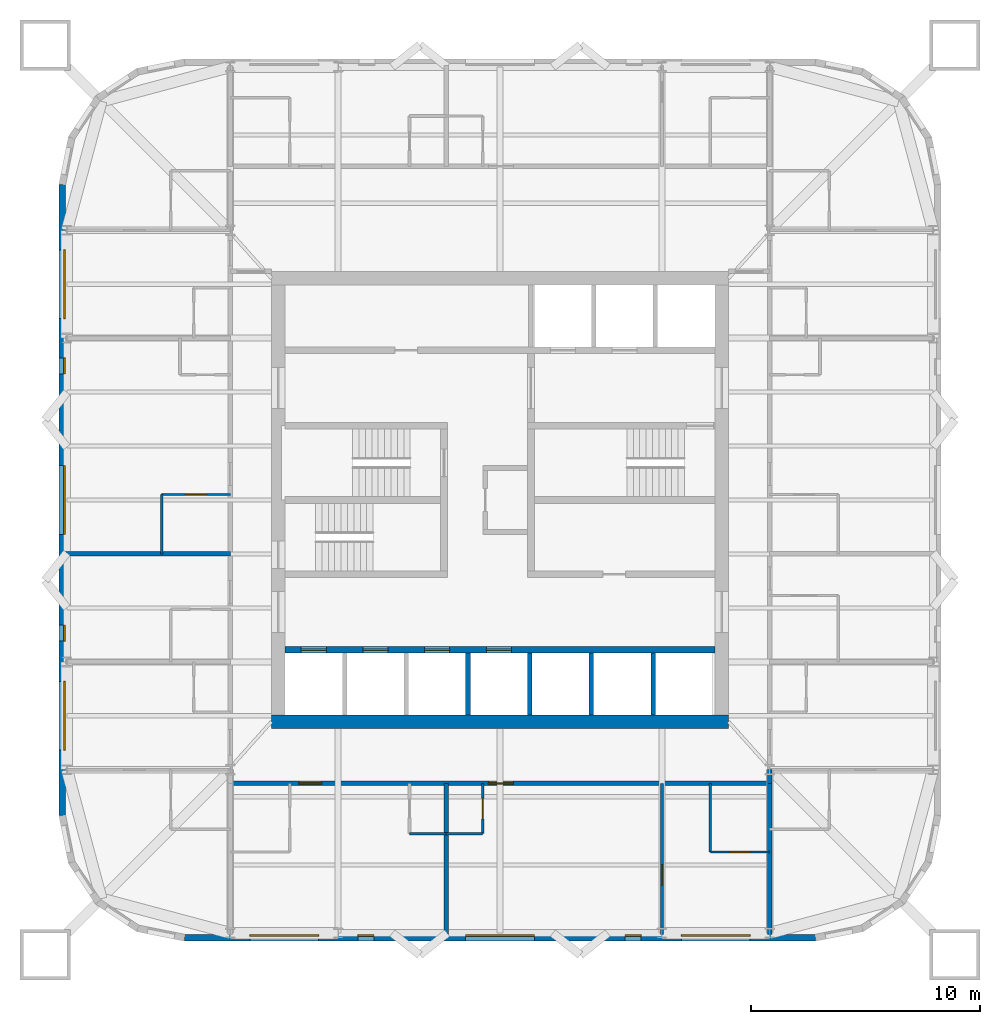
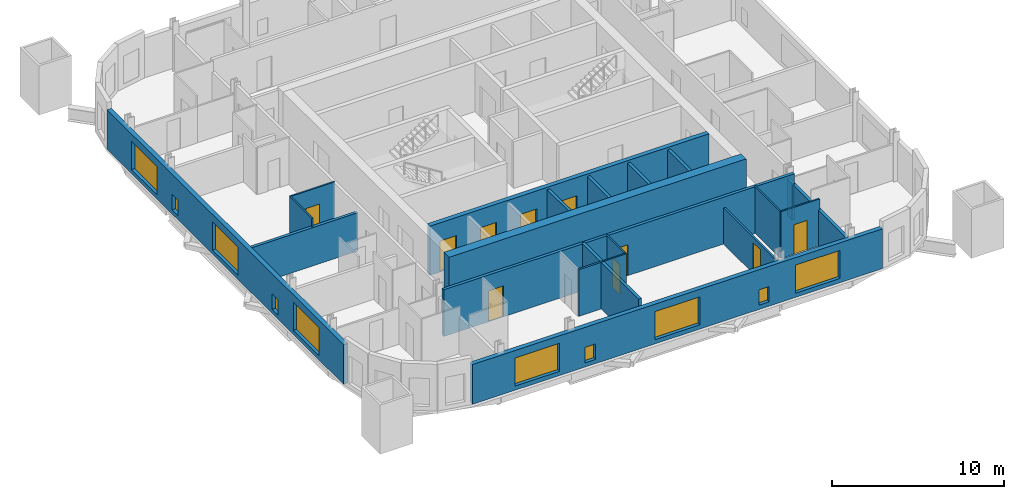
# One storey, part 3 of 8: 21 walls, 10 doors, 10 windows, 20 openings.
"""IFC4 building model written with IfcOpenShell, lengths in metres."""

from ifc_helpers import new_model, si_unit, direction, frame, frame_2d, origin, place, context, subcontext, project, spatial, rectangle, extrude, material, layer, layer_set, type_object, element, fill, save


model = new_model("IFC4")

# Units and contexts
model_context = context("Model", 3, precision=1e-05, world=origin(), true_north=direction((0.0, 1.0)))
body_context = subcontext(model_context, "Body", "Model", "MODEL_VIEW")
ifc_project = project(units=[si_unit("LENGTHUNIT", "METRE"), si_unit("AREAUNIT", "SQUARE_METRE"), si_unit("VOLUMEUNIT", "CUBIC_METRE"), si_unit("PLANEANGLEUNIT", "RADIAN"), si_unit("MASSUNIT", "GRAM", prefix="KILO")], contexts=[model_context])

# Site, building, storey
site_placement = place(None, origin())
site = spatial("IfcSite", under=ifc_project, at=site_placement, CompositionType="ELEMENT")
building_placement = place(site_placement, origin())
building = spatial("IfcBuilding", under=site, at=building_placement, Name="Turquesa Mirador Hotel Tower", CompositionType="ELEMENT")
storey_placement = place(building_placement, frame((0.0, 0.0, 196.800048828125)))
storey = spatial("IfcBuildingStorey", under=building, at=storey_placement, Name="L53", CompositionType="ELEMENT", Elevation=196.800048828125)

# Wall
ifc_material_1 = material(Name="Gypsum board on steel studs", Category="steel")
ifc_layer_1 = layer(ifc_material_1, 0.10009765625)
ifc_layer_set_1 = layer_set([ifc_layer_1], Name="BATHROOM WALL 100")
wall_type_1 = type_object("IfcWallType", Name="BATHROOM WALL 100", PredefinedType="PARTITIONING", material=ifc_layer_set_1)
wall_1_placement = place(storey_placement, frame((52.639892578125, 30.39990234375, 0.0), z_axis=(0.0, 0.0, 1.0), x_axis=(1.0, 0.0, 0.0)))
element("IfcWall", 1, at=wall_1_placement, inside=storey, type_object=wall_type_1, Name="Partition L53 008", PredefinedType="PARTITIONING", context=body_context, shape_type="SweptSolid", body=[
    extrude(rectangle(XDim=1.60009765625, YDim=0.10009765625, at=frame_2d((0.800048828125, 0.0))), origin(), (0.0, 0.0, 1.0), 3.329833984375),
])

# Wall, opening, door
wall_2_placement = place(storey_placement, frame((64.199951171875, 29.60009765625, 0.0), z_axis=(0.0, 0.0, 1.0), x_axis=(1.0, 0.0, 0.0)))
wall_2 = element("IfcWall", 2, at=wall_2_placement, inside=storey, type_object=wall_type_1, Name="Partition L53 011", PredefinedType="PARTITIONING", context=body_context, shape_type="SweptSolid", body=[
    extrude(rectangle(XDim=2.60009765625, YDim=0.10009765625, at=frame_2d((1.300048828125, 0.0))), origin(), (0.0, 0.0, 1.0), 3.329833984375),
])
opening_1_placement = place(wall_2_placement, frame((0.85009765625, 0.0, 0.0)))
opening_1 = element("IfcOpeningElement", 3, at=opening_1_placement, cuts=wall_2, Name="Opening D02", PredefinedType="OPENING", context=body_context, shape_type="SweptSolid", body=[
    extrude(rectangle(XDim=0.89990234375, YDim=2.10009765625, at=frame_2d((0.449951171875, 1.050048828125))), frame((0.0, 0.06005859375, 0.0), z_axis=(0.0, -1.0, 0.0), x_axis=(1.0, 0.0, 0.0)), (0.0, 0.0, 1.0), 0.1201171875),
])
ifc_material_2 = material(Name="Timber veneered door", Category="wood")
door_type_1 = type_object("IfcDoorType", Name="DOOR 900X2100 EN-SUITE", OperationType="SINGLE_SWING_RIGHT", PredefinedType="DOOR", material=ifc_material_2)
door_1_placement = place(opening_1_placement, origin())
door_1 = element("IfcDoor", 4, at=door_1_placement, inside=storey, type_object=door_type_1, Name="Door 5304B", OperationType="SINGLE_SWING_RIGHT", OverallHeight=2.10009765625, OverallWidth=0.89990234375, PredefinedType="DOOR", context=body_context, shape_type="SweptSolid", body=[
    extrude(rectangle(XDim=0.89990234375, YDim=2.10009765625, at=frame_2d((0.449951171875, 1.050048828125))), frame((0.0, 0.02490234375, 0.0), z_axis=(0.0, -1.0, 0.0), x_axis=(1.0, 0.0, 0.0)), (0.0, 0.0, 1.0), 0.050048828125),
])
fill(opening_1, door_1)

wall_3_placement = place(storey_placement, frame((40.199951171875, 45.239990234375, 0.0), z_axis=(0.0, 0.0, 1.0), x_axis=(1.0, 0.0, 0.0)))
wall_3 = element("IfcWall", 5, at=wall_3_placement, inside=storey, type_object=wall_type_1, Name="Partition L53 020", PredefinedType="PARTITIONING", context=body_context, shape_type="SweptSolid", body=[
    extrude(rectangle(XDim=3.0, YDim=0.10009765625, at=frame_2d((1.5, 0.0))), origin(), (0.0, 0.0, 1.0), 3.329833984375),
])
opening_2_placement = place(wall_3_placement, frame((1.050048828125, 0.0, 0.0)))
opening_2 = element("IfcOpeningElement", 6, at=opening_2_placement, cuts=wall_3, Name="Opening D02", PredefinedType="OPENING", context=body_context, shape_type="SweptSolid", body=[
    extrude(rectangle(XDim=0.89990234375, YDim=2.10009765625, at=frame_2d((0.449951171875, 1.050048828125))), frame((0.0, 0.06005859375, 0.0), z_axis=(0.0, -1.0, 0.0), x_axis=(1.0, 0.0, 0.0)), (0.0, 0.0, 1.0), 0.1201171875),
])
door_2_placement = place(opening_2_placement, origin())
door_2 = element("IfcDoor", 7, at=door_2_placement, inside=storey, type_object=door_type_1, Name="Door 5308B", OperationType="SINGLE_SWING_RIGHT", OverallHeight=2.10009765625, OverallWidth=0.89990234375, PredefinedType="DOOR", context=body_context, shape_type="SweptSolid", body=[
    extrude(rectangle(XDim=0.89990234375, YDim=2.10009765625, at=frame_2d((0.449951171875, 1.050048828125))), frame((0.0, 0.02490234375, 0.0), z_axis=(0.0, -1.0, 0.0), x_axis=(1.0, 0.0, 0.0)), (0.0, 0.0, 1.0), 0.050048828125),
])
fill(opening_2, door_2)

wall_4_placement = place(storey_placement, frame((54.239990234375, 30.39990234375, 0.0), z_axis=(0.0, 0.0, 1.0), x_axis=(0.0, 1.0, 0.0)))
wall_4 = element("IfcWall", 8, at=wall_4_placement, inside=storey, type_object=wall_type_1, Name="Partition L53 041", PredefinedType="PARTITIONING", context=body_context, shape_type="SweptSolid", body=[
    extrude(rectangle(XDim=2.2001953125, YDim=0.10009765625, at=frame_2d((1.10009765625, 0.0))), origin(), (0.0, 0.0, 1.0), 3.329833984375),
])
opening_3_placement = place(wall_4_placement, frame((0.64990234375, 0.0, 0.0)))
opening_3 = element("IfcOpeningElement", 9, at=opening_3_placement, cuts=wall_4, Name="Opening D06", PredefinedType="OPENING", context=body_context, shape_type="SweptSolid", body=[
    extrude(rectangle(XDim=0.89990234375, YDim=2.10009765625, at=frame_2d((0.449951171875, 1.050048828125))), frame((0.0, 0.06005859375, 0.0), z_axis=(0.0, -1.0, 0.0), x_axis=(1.0, 0.0, 0.0)), (0.0, 0.0, 1.0), 0.1201171875),
])
ifc_material_3 = material(Name="Laminate door", Category="wood")
door_type_2 = type_object("IfcDoorType", Name="DOOR 900X2100 WC", OperationType="SINGLE_SWING_LEFT", PredefinedType="DOOR", material=ifc_material_3)
door_3_placement = place(opening_3_placement, origin())
door_3 = element("IfcDoor", 10, at=door_3_placement, inside=storey, type_object=door_type_2, Name="Door 5304W", OperationType="SINGLE_SWING_LEFT", OverallHeight=2.10009765625, OverallWidth=0.89990234375, PredefinedType="DOOR", context=body_context, shape_type="SweptSolid", body=[
    extrude(rectangle(XDim=0.89990234375, YDim=2.10009765625, at=frame_2d((0.449951171875, 1.050048828125))), frame((0.0, 0.02490234375, 0.0), z_axis=(0.0, -1.0, 0.0), x_axis=(1.0, 0.0, 0.0)), (0.0, 0.0, 1.0), 0.050048828125),
])
fill(opening_3, door_3)

# Walls
wall_5_placement = place(storey_placement, frame((40.199951171875, 42.639892578125, 0.0), z_axis=(0.0, 0.0, 1.0), x_axis=(0.0, 1.0, 0.0)))
element("IfcWall", 11, at=wall_5_placement, inside=storey, type_object=wall_type_1, Name="Partition L53 052", PredefinedType="PARTITIONING", context=body_context, shape_type="SweptSolid", body=[
    extrude(rectangle(XDim=2.60009765625, YDim=0.10009765625, at=frame_2d((1.300048828125, 0.0))), origin(), (0.0, 0.0, 1.0), 3.329833984375),
])
wall_6_placement = place(storey_placement, frame((64.199951171875, 29.60009765625, 0.0), z_axis=(0.0, 0.0, 1.0), x_axis=(0.0, 1.0, 0.0)))
element("IfcWall", 12, at=wall_6_placement, inside=storey, type_object=wall_type_1, Name="Partition L53 071", PredefinedType="PARTITIONING", context=body_context, shape_type="SweptSolid", body=[
    extrude(rectangle(XDim=3.0, YDim=0.10009765625, at=frame_2d((1.5, 0.0))), origin(), (0.0, 0.0, 1.0), 3.329833984375),
])

# Wall, openings, doors
ifc_material_4 = material(Name="Concrete C50/60", Category="concrete")
ifc_layer_2 = layer(ifc_material_4, 0.300048828125)
ifc_layer_set_2 = layer_set([ifc_layer_2], Name="CORE INNER WALL 300")
wall_type_2 = type_object("IfcWallType", Name="CORE INNER WALL 300", PredefinedType="SHEAR", material=ifc_layer_set_2)
wall_7_placement = place(storey_placement, frame((45.60009765625, 38.449951171875, 0.0), z_axis=(0.0, 0.0, 1.0), x_axis=(1.0, 0.0, 0.0)))
wall_7 = element("IfcWall", 13, at=wall_7_placement, inside=storey, type_object=wall_type_2, Name="Core wall SL", PredefinedType="SHEAR", context=body_context, shape_type="SweptSolid", body=[
    extrude(rectangle(XDim=18.7998046875, YDim=0.300048828125, at=frame_2d((9.39990234375, 0.0))), origin(), (0.0, 0.0, 1.0), 3.5),
])
opening_4_placement = place(wall_7_placement, frame((0.699951171875, 0.0, 0.0)))
opening_4 = element("IfcOpeningElement", 14, at=opening_4_placement, cuts=wall_7, Name="Opening LD", PredefinedType="OPENING", context=body_context, shape_type="SweptSolid", body=[
    extrude(rectangle(XDim=1.10009765625, YDim=2.199951171875, at=frame_2d((0.550048828125, 1.10009765625))), frame((0.0, 0.159912109375, 0.0), z_axis=(0.0, -1.0, 0.0), x_axis=(1.0, 0.0, 0.0)), (0.0, 0.0, 1.0), 0.320068359375),
])
opening_5_placement = place(wall_7_placement, frame((3.39990234375, 0.0, 0.0)))
opening_5 = element("IfcOpeningElement", 15, at=opening_5_placement, cuts=wall_7, Name="Opening LD", PredefinedType="OPENING", context=body_context, shape_type="SweptSolid", body=[
    extrude(rectangle(XDim=1.10009765625, YDim=2.199951171875, at=frame_2d((0.550048828125, 1.10009765625))), frame((0.0, 0.159912109375, 0.0), z_axis=(0.0, -1.0, 0.0), x_axis=(1.0, 0.0, 0.0)), (0.0, 0.0, 1.0), 0.320068359375),
])
opening_6_placement = place(wall_7_placement, frame((6.10009765625, 0.0, 0.0)))
opening_6 = element("IfcOpeningElement", 16, at=opening_6_placement, cuts=wall_7, Name="Opening LD", PredefinedType="OPENING", context=body_context, shape_type="SweptSolid", body=[
    extrude(rectangle(XDim=1.10009765625, YDim=2.199951171875, at=frame_2d((0.550048828125, 1.10009765625))), frame((0.0, 0.159912109375, 0.0), z_axis=(0.0, -1.0, 0.0), x_axis=(1.0, 0.0, 0.0)), (0.0, 0.0, 1.0), 0.320068359375),
])
opening_7_placement = place(wall_7_placement, frame((8.800048828125, 0.0, 0.0)))
opening_7 = element("IfcOpeningElement", 17, at=opening_7_placement, cuts=wall_7, Name="Opening LD", PredefinedType="OPENING", context=body_context, shape_type="SweptSolid", body=[
    extrude(rectangle(XDim=1.10009765625, YDim=2.199951171875, at=frame_2d((0.550048828125, 1.10009765625))), frame((0.0, 0.159912109375, 0.0), z_axis=(0.0, -1.0, 0.0), x_axis=(1.0, 0.0, 0.0)), (0.0, 0.0, 1.0), 0.320068359375),
])
ifc_material_5 = material(Name="Stainless steel lift landing door", Category="steel")
door_type_3 = type_object("IfcDoorType", Name="LIFT LANDING DOOR 1100X2200", OperationType="SLIDING_TO_LEFT", PredefinedType="DOOR", material=ifc_material_5)
door_4_placement = place(opening_4_placement, origin())
door_4 = element("IfcDoor", 18, at=door_4_placement, inside=storey, type_object=door_type_3, Name="Lift B1 landing door", OperationType="SLIDING_TO_LEFT", OverallHeight=2.199951171875, OverallWidth=1.10009765625, PredefinedType="DOOR", context=body_context, shape_type="SweptSolid", body=[
    extrude(rectangle(XDim=1.10009765625, YDim=2.199951171875, at=frame_2d((0.550048828125, 1.10009765625))), frame((0.0, 0.02490234375, 0.0), z_axis=(0.0, -1.0, 0.0), x_axis=(1.0, 0.0, 0.0)), (0.0, 0.0, 1.0), 0.050048828125),
])
fill(opening_4, door_4)
door_5_placement = place(opening_5_placement, origin())
door_5 = element("IfcDoor", 19, at=door_5_placement, inside=storey, type_object=door_type_3, Name="Lift B2 landing door", OperationType="SLIDING_TO_LEFT", OverallHeight=2.199951171875, OverallWidth=1.10009765625, PredefinedType="DOOR", context=body_context, shape_type="SweptSolid", body=[
    extrude(rectangle(XDim=1.10009765625, YDim=2.199951171875, at=frame_2d((0.550048828125, 1.10009765625))), frame((0.0, 0.02490234375, 0.0), z_axis=(0.0, -1.0, 0.0), x_axis=(1.0, 0.0, 0.0)), (0.0, 0.0, 1.0), 0.050048828125),
])
fill(opening_5, door_5)
door_6_placement = place(opening_6_placement, origin())
door_6 = element("IfcDoor", 20, at=door_6_placement, inside=storey, type_object=door_type_3, Name="Lift B3 landing door", OperationType="SLIDING_TO_LEFT", OverallHeight=2.199951171875, OverallWidth=1.10009765625, PredefinedType="DOOR", context=body_context, shape_type="SweptSolid", body=[
    extrude(rectangle(XDim=1.10009765625, YDim=2.199951171875, at=frame_2d((0.550048828125, 1.10009765625))), frame((0.0, 0.02490234375, 0.0), z_axis=(0.0, -1.0, 0.0), x_axis=(1.0, 0.0, 0.0)), (0.0, 0.0, 1.0), 0.050048828125),
])
fill(opening_6, door_6)
door_7_placement = place(opening_7_placement, origin())
door_7 = element("IfcDoor", 21, at=door_7_placement, inside=storey, type_object=door_type_3, Name="Lift B4 landing door", OperationType="SLIDING_TO_LEFT", OverallHeight=2.199951171875, OverallWidth=1.10009765625, PredefinedType="DOOR", context=body_context, shape_type="SweptSolid", body=[
    extrude(rectangle(XDim=1.10009765625, YDim=2.199951171875, at=frame_2d((0.550048828125, 1.10009765625))), frame((0.0, 0.02490234375, 0.0), z_axis=(0.0, -1.0, 0.0), x_axis=(1.0, 0.0, 0.0)), (0.0, 0.0, 1.0), 0.050048828125),
])
fill(opening_7, door_7)

# Wall
ifc_material_6 = material(Name="Concrete C50/60", Category="concrete")
ifc_layer_3 = layer(ifc_material_6, 0.60009765625)
ifc_layer_set_3 = layer_set([ifc_layer_3], Name="CORE WALL 600")
wall_type_3 = type_object("IfcWallType", Name="CORE WALL 600", PredefinedType="SHEAR", material=ifc_layer_set_3)
wall_8_placement = place(storey_placement, frame((45.0, 35.300048828125, 0.0), z_axis=(0.0, 0.0, 1.0), x_axis=(1.0, 0.0, 0.0)))
element("IfcWall", 22, at=wall_8_placement, inside=storey, type_object=wall_type_3, Name="Core wall S", PredefinedType="SHEAR", context=body_context, shape_type="SweptSolid", body=[
    extrude(rectangle(XDim=20.0, YDim=0.60009765625, at=frame_2d((10.0, 0.0))), origin(), (0.0, 0.0, 1.0), 3.5),
])

# Wall, openings, doors
ifc_material_7 = material(Name="Fire-rated gypsum board on steel studs", Category="steel")
ifc_layer_4 = layer(ifc_material_7, 0.199951171875)
ifc_layer_set_4 = layer_set([ifc_layer_4], Name="CORRIDOR WALL 200")
wall_type_4 = type_object("IfcWallType", Name="CORRIDOR WALL 200", PredefinedType="PARTITIONING", material=ifc_layer_set_4)
wall_9_placement = place(storey_placement, frame((43.199951171875, 32.60009765625, 0.0), z_axis=(0.0, 0.0, 1.0), x_axis=(1.0, 0.0, 0.0)))
wall_9 = element("IfcWall", 23, at=wall_9_placement, inside=storey, type_object=wall_type_4, Name="Partition L53 005", PredefinedType="PARTITIONING", context=body_context, shape_type="SweptSolid", body=[
    extrude(rectangle(XDim=23.60009765625, YDim=0.199951171875, at=frame_2d((11.800048828125, 0.0))), origin(), (0.0, 0.0, 1.0), 3.329833984375),
])
opening_8_placement = place(wall_9_placement, frame((3.0, 0.0, 0.0)))
opening_8 = element("IfcOpeningElement", 24, at=opening_8_placement, cuts=wall_9, Name="Opening D01", PredefinedType="OPENING", context=body_context, shape_type="SweptSolid", body=[
    extrude(rectangle(XDim=1.0, YDim=2.199951171875, at=frame_2d((0.5, 1.10009765625))), frame((0.0, 0.10986328125, 0.0), z_axis=(0.0, -1.0, 0.0), x_axis=(1.0, 0.0, 0.0)), (0.0, 0.0, 1.0), 0.219970703125),
])
opening_9_placement = place(wall_9_placement, frame((11.2900390625, 0.0, 0.0)))
opening_9 = element("IfcOpeningElement", 25, at=opening_9_placement, cuts=wall_9, Name="Opening D15", PredefinedType="OPENING", context=body_context, shape_type="SweptSolid", body=[
    extrude(rectangle(XDim=1.10009765625, YDim=2.199951171875, at=frame_2d((0.550048828125, 1.10009765625))), frame((0.0, 0.10986328125, 0.0), z_axis=(0.0, -1.0, 0.0), x_axis=(1.0, 0.0, 0.0)), (0.0, 0.0, 1.0), 0.219970703125),
])
ifc_material_8 = material(Name="Timber veneered fire door", Category="wood")
door_type_4 = type_object("IfcDoorType", Name="DOOR 1000X2200 GUEST ENTRY", OperationType="SINGLE_SWING_LEFT", PredefinedType="DOOR", material=ifc_material_8)
door_8_placement = place(opening_8_placement, origin())
door_8 = element("IfcDoor", 26, at=door_8_placement, inside=storey, type_object=door_type_4, Name="Door 5303", OperationType="SINGLE_SWING_LEFT", OverallHeight=2.199951171875, OverallWidth=1.0, PredefinedType="DOOR", context=body_context, shape_type="SweptSolid", body=[
    extrude(rectangle(XDim=1.0, YDim=2.199951171875, at=frame_2d((0.5, 1.10009765625))), frame((0.0, 0.02490234375, 0.0), z_axis=(0.0, -1.0, 0.0), x_axis=(1.0, 0.0, 0.0)), (0.0, 0.0, 1.0), 0.050048828125),
])
fill(opening_8, door_8)
ifc_material_9 = material(Name="Timber veneered fire door", Category="wood")
door_type_5 = type_object("IfcDoorType", Name="DOOR 1100X2200 SUITE ENTRY", OperationType="SINGLE_SWING_LEFT", PredefinedType="DOOR", material=ifc_material_9)
door_9_placement = place(opening_9_placement, origin())
door_9 = element("IfcDoor", 27, at=door_9_placement, inside=storey, type_object=door_type_5, Name="Door 5304", OperationType="SINGLE_SWING_LEFT", OverallHeight=2.199951171875, OverallWidth=1.10009765625, PredefinedType="DOOR", context=body_context, shape_type="SweptSolid", body=[
    extrude(rectangle(XDim=1.10009765625, YDim=2.199951171875, at=frame_2d((0.550048828125, 1.10009765625))), frame((0.0, 0.02490234375, 0.0), z_axis=(0.0, -1.0, 0.0), x_axis=(1.0, 0.0, 0.0)), (0.0, 0.0, 1.0), 0.050048828125),
])
fill(opening_9, door_9)

# Wall
wall_10_placement = place(storey_placement, frame((66.800048828125, 32.60009765625, 0.0), z_axis=(0.0, 0.0, 1.0), x_axis=(0.0, 1.0, 0.0)))
element("IfcWall", 28, at=wall_10_placement, inside=storey, type_object=wall_type_4, Name="Partition L53 075", PredefinedType="PARTITIONING", context=body_context, shape_type="SweptSolid", body=[
    extrude(rectangle(XDim=0.619873046875, YDim=0.199951171875, at=frame_2d((0.31005859375, 0.0))), origin(), (0.0, 0.0, 1.0), 2.572998046875),
])

# Wall, openings, windows
ifc_material_10 = material(Name="Limestone cladding on concrete block", Category="masonry")
ifc_layer_5 = layer(ifc_material_10, 0.300048828125)
ifc_layer_set_5 = layer_set([ifc_layer_5], Name="FACADE WALL 300 STONE SCREEN")
wall_type_5 = type_object("IfcWallType", Name="FACADE WALL 300 STONE SCREEN", PredefinedType="SOLIDWALL", material=ifc_layer_set_5)
wall_11_placement = place(storey_placement, frame((35.85009765625, 58.800048828125, 0.0), z_axis=(0.0, 0.0, 1.0), x_axis=(0.0, -1.0, 0.0)))
wall_11 = element("IfcWall", 29, at=wall_11_placement, inside=storey, type_object=wall_type_5, Name="Facade wall L53 14", PredefinedType="SOLIDWALL", context=body_context, shape_type="SweptSolid", body=[
    extrude(rectangle(XDim=27.60009765625, YDim=0.300048828125, at=frame_2d((13.800048828125, 0.0))), origin(), (0.0, 0.0, 1.0), 2.829833984375),
])
opening_10_placement = place(wall_11_placement, frame((2.860107421875, 0.0, 0.300048828125)))
opening_10 = element("IfcOpeningElement", 30, at=opening_10_placement, cuts=wall_11, Name="Opening WN1", PredefinedType="OPENING", context=body_context, shape_type="SweptSolid", body=[
    extrude(rectangle(XDim=3.0, YDim=2.0, at=frame_2d((1.5, 1.0))), frame((0.0, 0.159912109375, 0.0), z_axis=(0.0, -1.0, 0.0), x_axis=(1.0, 0.0, 0.0)), (0.0, 0.0, 1.0), 0.320068359375),
])
opening_11_placement = place(wall_11_placement, frame((7.580078125, 0.0, 0.300048828125)))
opening_11 = element("IfcOpeningElement", 31, at=opening_11_placement, cuts=wall_11, Name="Opening WN33", PredefinedType="OPENING", context=body_context, shape_type="SweptSolid", body=[
    extrude(rectangle(XDim=0.699951171875, YDim=1.10009765625, at=frame_2d((0.35009765625, 0.550048828125))), frame((0.0, 0.159912109375, 0.0), z_axis=(0.0, -1.0, 0.0), x_axis=(1.0, 0.0, 0.0)), (0.0, 0.0, 1.0), 0.320068359375),
])
opening_12_placement = place(wall_11_placement, frame((12.300048828125, 0.0, 0.300048828125)))
opening_12 = element("IfcOpeningElement", 32, at=opening_12_placement, cuts=wall_11, Name="Opening WN1", PredefinedType="OPENING", context=body_context, shape_type="SweptSolid", body=[
    extrude(rectangle(XDim=3.0, YDim=2.0, at=frame_2d((1.5, 1.0))), frame((0.0, 0.159912109375, 0.0), z_axis=(0.0, -1.0, 0.0), x_axis=(1.0, 0.0, 0.0)), (0.0, 0.0, 1.0), 0.320068359375),
])
opening_13_placement = place(wall_11_placement, frame((19.27001953125, 0.0, 0.300048828125)))
opening_13 = element("IfcOpeningElement", 33, at=opening_13_placement, cuts=wall_11, Name="Opening WN33", PredefinedType="OPENING", context=body_context, shape_type="SweptSolid", body=[
    extrude(rectangle(XDim=0.699951171875, YDim=1.10009765625, at=frame_2d((0.35009765625, 0.550048828125))), frame((0.0, 0.159912109375, 0.0), z_axis=(0.0, -1.0, 0.0), x_axis=(1.0, 0.0, 0.0)), (0.0, 0.0, 1.0), 0.320068359375),
])
opening_14_placement = place(wall_11_placement, frame((21.739990234375, 0.0, 0.300048828125)))
opening_14 = element("IfcOpeningElement", 34, at=opening_14_placement, cuts=wall_11, Name="Opening WN1", PredefinedType="OPENING", context=body_context, shape_type="SweptSolid", body=[
    extrude(rectangle(XDim=3.0, YDim=2.0, at=frame_2d((1.5, 1.0))), frame((0.0, 0.159912109375, 0.0), z_axis=(0.0, -1.0, 0.0), x_axis=(1.0, 0.0, 0.0)), (0.0, 0.0, 1.0), 0.320068359375),
])
ifc_material_11 = material(Name="Ceramic-fritted laminated glass", Category="glass")
window_type_1 = type_object("IfcWindowType", Name="FRITTED WINDOW 3000X2000", PartitioningType="DOUBLE_PANEL_HORIZONTAL", PredefinedType="WINDOW", material=ifc_material_11)
window_1_placement = place(opening_10_placement, origin())
window_1 = element("IfcWindow", 35, at=window_1_placement, inside=storey, type_object=window_type_1, Name="Window L53", OverallHeight=2.0, OverallWidth=3.0, PartitioningType="SINGLE_PANEL", PredefinedType="WINDOW", context=body_context, shape_type="SweptSolid", body=[
    extrude(rectangle(XDim=3.0, YDim=2.0, at=frame_2d((1.5, 1.0))), frame((0.0, 0.130126953125, 0.0), z_axis=(0.0, -1.0, 0.0), x_axis=(1.0, 0.0, 0.0)), (0.0, 0.0, 1.0), 0.06005859375),
])
fill(opening_10, window_1)
window_2_placement = place(opening_12_placement, origin())
window_2 = element("IfcWindow", 36, at=window_2_placement, inside=storey, type_object=window_type_1, Name="Window L53", OverallHeight=2.0, OverallWidth=3.0, PartitioningType="SINGLE_PANEL", PredefinedType="WINDOW", context=body_context, shape_type="SweptSolid", body=[
    extrude(rectangle(XDim=3.0, YDim=2.0, at=frame_2d((1.5, 1.0))), frame((0.0, 0.130126953125, 0.0), z_axis=(0.0, -1.0, 0.0), x_axis=(1.0, 0.0, 0.0)), (0.0, 0.0, 1.0), 0.06005859375),
])
fill(opening_12, window_2)
window_3_placement = place(opening_14_placement, origin())
window_3 = element("IfcWindow", 37, at=window_3_placement, inside=storey, type_object=window_type_1, Name="Window L53", OverallHeight=2.0, OverallWidth=3.0, PartitioningType="SINGLE_PANEL", PredefinedType="WINDOW", context=body_context, shape_type="SweptSolid", body=[
    extrude(rectangle(XDim=3.0, YDim=2.0, at=frame_2d((1.5, 1.0))), frame((0.0, 0.130126953125, 0.0), z_axis=(0.0, -1.0, 0.0), x_axis=(1.0, 0.0, 0.0)), (0.0, 0.0, 1.0), 0.06005859375),
])
fill(opening_14, window_3)
ifc_material_12 = material(Name="Ceramic-fritted laminated glass", Category="glass")
window_type_2 = type_object("IfcWindowType", Name="FRITTED WINDOW 700X1100", PartitioningType="DOUBLE_PANEL_HORIZONTAL", PredefinedType="WINDOW", material=ifc_material_12)
window_4_placement = place(opening_11_placement, origin())
window_4 = element("IfcWindow", 38, at=window_4_placement, inside=storey, type_object=window_type_2, Name="Window L53", OverallHeight=1.10009765625, OverallWidth=0.699951171875, PartitioningType="SINGLE_PANEL", PredefinedType="WINDOW", context=body_context, shape_type="SweptSolid", body=[
    extrude(rectangle(XDim=0.699951171875, YDim=1.10009765625, at=frame_2d((0.35009765625, 0.550048828125))), frame((0.0, 0.130126953125, 0.0), z_axis=(0.0, -1.0, 0.0), x_axis=(1.0, 0.0, 0.0)), (0.0, 0.0, 1.0), 0.06005859375),
])
fill(opening_11, window_4)
window_5_placement = place(opening_13_placement, origin())
window_5 = element("IfcWindow", 39, at=window_5_placement, inside=storey, type_object=window_type_2, Name="Window L53", OverallHeight=1.10009765625, OverallWidth=0.699951171875, PartitioningType="SINGLE_PANEL", PredefinedType="WINDOW", context=body_context, shape_type="SweptSolid", body=[
    extrude(rectangle(XDim=0.699951171875, YDim=1.10009765625, at=frame_2d((0.35009765625, 0.550048828125))), frame((0.0, 0.130126953125, 0.0), z_axis=(0.0, -1.0, 0.0), x_axis=(1.0, 0.0, 0.0)), (0.0, 0.0, 1.0), 0.06005859375),
])
fill(opening_13, window_5)

wall_12_placement = place(storey_placement, frame((41.199951171875, 25.85009765625, 0.0), z_axis=(0.0, 0.0, 1.0), x_axis=(1.0, 0.0, 0.0)))
wall_12 = element("IfcWall", 40, at=wall_12_placement, inside=storey, type_object=wall_type_5, Name="Facade wall L53 19", PredefinedType="SOLIDWALL", context=body_context, shape_type="SweptSolid", body=[
    extrude(rectangle(XDim=27.60009765625, YDim=0.300048828125, at=frame_2d((13.800048828125, 0.0))), origin(), (0.0, 0.0, 1.0), 2.829833984375),
])
opening_15_placement = place(wall_12_placement, frame((2.860107421875, 0.0, 0.300048828125)))
opening_15 = element("IfcOpeningElement", 41, at=opening_15_placement, cuts=wall_12, Name="Opening WN1", PredefinedType="OPENING", context=body_context, shape_type="SweptSolid", body=[
    extrude(rectangle(XDim=3.0, YDim=2.0, at=frame_2d((1.5, 1.0))), frame((0.0, 0.159912109375, 0.0), z_axis=(0.0, -1.0, 0.0), x_axis=(1.0, 0.0, 0.0)), (0.0, 0.0, 1.0), 0.320068359375),
])
opening_16_placement = place(wall_12_placement, frame((7.580078125, 0.0, 0.300048828125)))
opening_16 = element("IfcOpeningElement", 42, at=opening_16_placement, cuts=wall_12, Name="Opening WN33", PredefinedType="OPENING", context=body_context, shape_type="SweptSolid", body=[
    extrude(rectangle(XDim=0.699951171875, YDim=1.10009765625, at=frame_2d((0.35009765625, 0.550048828125))), frame((0.0, 0.159912109375, 0.0), z_axis=(0.0, -1.0, 0.0), x_axis=(1.0, 0.0, 0.0)), (0.0, 0.0, 1.0), 0.320068359375),
])
opening_17_placement = place(wall_12_placement, frame((12.300048828125, 0.0, 0.300048828125)))
opening_17 = element("IfcOpeningElement", 43, at=opening_17_placement, cuts=wall_12, Name="Opening WN1", PredefinedType="OPENING", context=body_context, shape_type="SweptSolid", body=[
    extrude(rectangle(XDim=3.0, YDim=2.0, at=frame_2d((1.5, 1.0))), frame((0.0, 0.159912109375, 0.0), z_axis=(0.0, -1.0, 0.0), x_axis=(1.0, 0.0, 0.0)), (0.0, 0.0, 1.0), 0.320068359375),
])
opening_18_placement = place(wall_12_placement, frame((19.27001953125, 0.0, 0.300048828125)))
opening_18 = element("IfcOpeningElement", 44, at=opening_18_placement, cuts=wall_12, Name="Opening WN33", PredefinedType="OPENING", context=body_context, shape_type="SweptSolid", body=[
    extrude(rectangle(XDim=0.699951171875, YDim=1.10009765625, at=frame_2d((0.35009765625, 0.550048828125))), frame((0.0, 0.159912109375, 0.0), z_axis=(0.0, -1.0, 0.0), x_axis=(1.0, 0.0, 0.0)), (0.0, 0.0, 1.0), 0.320068359375),
])
opening_19_placement = place(wall_12_placement, frame((21.739990234375, 0.0, 0.300048828125)))
opening_19 = element("IfcOpeningElement", 45, at=opening_19_placement, cuts=wall_12, Name="Opening WN1", PredefinedType="OPENING", context=body_context, shape_type="SweptSolid", body=[
    extrude(rectangle(XDim=3.0, YDim=2.0, at=frame_2d((1.5, 1.0))), frame((0.0, 0.159912109375, 0.0), z_axis=(0.0, -1.0, 0.0), x_axis=(1.0, 0.0, 0.0)), (0.0, 0.0, 1.0), 0.320068359375),
])
window_6_placement = place(opening_15_placement, origin())
window_6 = element("IfcWindow", 46, at=window_6_placement, inside=storey, type_object=window_type_1, Name="Window L53", OverallHeight=2.0, OverallWidth=3.0, PartitioningType="SINGLE_PANEL", PredefinedType="WINDOW", context=body_context, shape_type="SweptSolid", body=[
    extrude(rectangle(XDim=3.0, YDim=2.0, at=frame_2d((1.5, 1.0))), frame((0.0, 0.130126953125, 0.0), z_axis=(0.0, -1.0, 0.0), x_axis=(1.0, 0.0, 0.0)), (0.0, 0.0, 1.0), 0.06005859375),
])
fill(opening_15, window_6)
window_7_placement = place(opening_17_placement, origin())
window_7 = element("IfcWindow", 47, at=window_7_placement, inside=storey, type_object=window_type_1, Name="Window L53", OverallHeight=2.0, OverallWidth=3.0, PartitioningType="SINGLE_PANEL", PredefinedType="WINDOW", context=body_context, shape_type="SweptSolid", body=[
    extrude(rectangle(XDim=3.0, YDim=2.0, at=frame_2d((1.5, 1.0))), frame((0.0, 0.130126953125, 0.0), z_axis=(0.0, -1.0, 0.0), x_axis=(1.0, 0.0, 0.0)), (0.0, 0.0, 1.0), 0.06005859375),
])
fill(opening_17, window_7)
window_8_placement = place(opening_19_placement, origin())
window_8 = element("IfcWindow", 48, at=window_8_placement, inside=storey, type_object=window_type_1, Name="Window L53", OverallHeight=2.0, OverallWidth=3.0, PartitioningType="SINGLE_PANEL", PredefinedType="WINDOW", context=body_context, shape_type="SweptSolid", body=[
    extrude(rectangle(XDim=3.0, YDim=2.0, at=frame_2d((1.5, 1.0))), frame((0.0, 0.130126953125, 0.0), z_axis=(0.0, -1.0, 0.0), x_axis=(1.0, 0.0, 0.0)), (0.0, 0.0, 1.0), 0.06005859375),
])
fill(opening_19, window_8)
window_9_placement = place(opening_16_placement, origin())
window_9 = element("IfcWindow", 49, at=window_9_placement, inside=storey, type_object=window_type_2, Name="Window L53", OverallHeight=1.10009765625, OverallWidth=0.699951171875, PartitioningType="SINGLE_PANEL", PredefinedType="WINDOW", context=body_context, shape_type="SweptSolid", body=[
    extrude(rectangle(XDim=0.699951171875, YDim=1.10009765625, at=frame_2d((0.35009765625, 0.550048828125))), frame((0.0, 0.130126953125, 0.0), z_axis=(0.0, -1.0, 0.0), x_axis=(1.0, 0.0, 0.0)), (0.0, 0.0, 1.0), 0.06005859375),
])
fill(opening_16, window_9)
window_10_placement = place(opening_18_placement, origin())
window_10 = element("IfcWindow", 50, at=window_10_placement, inside=storey, type_object=window_type_2, Name="Window L53", OverallHeight=1.10009765625, OverallWidth=0.699951171875, PartitioningType="SINGLE_PANEL", PredefinedType="WINDOW", context=body_context, shape_type="SweptSolid", body=[
    extrude(rectangle(XDim=0.699951171875, YDim=1.10009765625, at=frame_2d((0.35009765625, 0.550048828125))), frame((0.0, 0.130126953125, 0.0), z_axis=(0.0, -1.0, 0.0), x_axis=(1.0, 0.0, 0.0)), (0.0, 0.0, 1.0), 0.06005859375),
])
fill(opening_18, window_10)

# Walls
ifc_material_13 = material(Name="Fire-rated gypsum shaft wall on steel studs", Category="steel")
ifc_layer_6 = layer(ifc_material_13, 0.199951171875)
ifc_layer_set_6 = layer_set([ifc_layer_6], Name="LIFT SHAFT DIVIDER 200")
wall_type_6 = type_object("IfcWallType", Name="LIFT SHAFT DIVIDER 200", PredefinedType="PARTITIONING", material=ifc_layer_set_6)
for number, where, z_axis, x_axis, name in (
    (51, (53.60009765625, 35.60009765625, 0.0), (0.0, 0.0, 1.0), (0.0, 1.0, 0.0), "Lift shaft divider"),
    (52, (56.300048828125, 35.60009765625, 0.0), (0.0, 0.0, 1.0), (0.0, 1.0, 0.0), "Lift shaft divider"),
    (53, (59.0, 35.60009765625, 0.0), (0.0, 0.0, 1.0), (0.0, 1.0, 0.0), "Lift shaft divider"),
    (54, (61.699951171875, 35.60009765625, 0.0), (0.0, 0.0, 1.0), (0.0, 1.0, 0.0), "Lift shaft divider"),
):
    element("IfcWall", number, at=place(storey_placement, frame(where, z_axis=z_axis, x_axis=x_axis)), inside=storey, type_object=wall_type_6, Name=name, PredefinedType="PARTITIONING", context=body_context, shape_type="SweptSolid", body=[
        extrude(rectangle(XDim=2.699951171875, YDim=0.199951171875, at=frame_2d((1.35009765625, 0.0))), origin(), (0.0, 0.0, 1.0), 3.329833984375),
    ])
ifc_material_14 = material(Name="Fire-rated gypsum board on steel studs", Category="steel")
ifc_layer_7 = layer(ifc_material_14, 0.199951171875)
ifc_layer_set_7 = layer_set([ifc_layer_7], Name="PARTY WALL 200")
wall_type_7 = type_object("IfcWallType", Name="PARTY WALL 200", PredefinedType="PARTITIONING", material=ifc_layer_set_7)
wall_13_placement = place(storey_placement, frame((36.0, 42.639892578125, 0.0), z_axis=(0.0, 0.0, 1.0), x_axis=(1.0, 0.0, 0.0)))
element("IfcWall", 55, at=wall_13_placement, inside=storey, type_object=wall_type_7, Name="Partition L53 012", PredefinedType="PARTITIONING", context=body_context, shape_type="SweptSolid", body=[
    extrude(rectangle(XDim=7.199951171875, YDim=0.199951171875, at=frame_2d((3.60009765625, 0.0))), origin(), (0.0, 0.0, 1.0), 2.73046875),
])
wall_14_placement = place(storey_placement, frame((52.639892578125, 26.0, 0.0), z_axis=(0.0, 0.0, 1.0), x_axis=(0.0, 1.0, 0.0)))
element("IfcWall", 56, at=wall_14_placement, inside=storey, type_object=wall_type_7, Name="Partition L53 053", PredefinedType="PARTITIONING", context=body_context, shape_type="SweptSolid", body=[
    extrude(rectangle(XDim=6.60009765625, YDim=0.199951171875, at=frame_2d((3.300048828125, 0.0))), origin(), (0.0, 0.0, 1.0), 3.329833984375),
])
wall_15_placement = place(storey_placement, frame((66.800048828125, 26.0, 0.0), z_axis=(0.0, 0.0, 1.0), x_axis=(0.0, 1.0, 0.0)))
element("IfcWall", 57, at=wall_15_placement, inside=storey, type_object=wall_type_7, Name="Partition L53 060", PredefinedType="PARTITIONING", context=body_context, shape_type="SweptSolid", body=[
    extrude(rectangle(XDim=6.60009765625, YDim=0.199951171875, at=frame_2d((3.300048828125, 0.0))), origin(), (0.0, 0.0, 1.0), 2.572998046875),
])
ifc_material_15 = material(Name="Acoustic gypsum board on steel studs", Category="steel")
ifc_layer_8 = layer(ifc_material_15, 0.125)
ifc_layer_set_8 = layer_set([ifc_layer_8], Name="SUITE PARTITION 125")
wall_type_8 = type_object("IfcWallType", Name="SUITE PARTITION 125", PredefinedType="PARTITIONING", material=ifc_layer_set_8)
wall_16_placement = place(storey_placement, frame((51.0400390625, 30.39990234375, 0.0), z_axis=(0.0, 0.0, 1.0), x_axis=(1.0, 0.0, 0.0)))
element("IfcWall", 58, at=wall_16_placement, inside=storey, type_object=wall_type_8, Name="Partition L53 009", PredefinedType="PARTITIONING", context=body_context, shape_type="SweptSolid", body=[
    extrude(rectangle(XDim=1.599853515625, YDim=0.125, at=frame_2d((0.7998046875, 0.0))), origin(), (0.0, 0.0, 1.0), 3.329833984375),
])

# Wall, opening, door
wall_17_placement = place(storey_placement, frame((62.080078125, 26.0, 0.0), z_axis=(0.0, 0.0, 1.0), x_axis=(0.0, 1.0, 0.0)))
wall_17 = element("IfcWall", 59, at=wall_17_placement, inside=storey, type_object=wall_type_8, Name="Partition L53 069", PredefinedType="PARTITIONING", context=body_context, shape_type="SweptSolid", body=[
    extrude(rectangle(XDim=6.60009765625, YDim=0.125, at=frame_2d((3.300048828125, 0.0))), origin(), (0.0, 0.0, 1.0), 2.572998046875),
])
opening_20_placement = place(wall_17_placement, frame((2.14990234375, 0.0, 0.0)))
opening_20 = element("IfcOpeningElement", 60, at=opening_20_placement, cuts=wall_17, Name="Opening D17", PredefinedType="OPENING", context=body_context, shape_type="SweptSolid", body=[
    extrude(rectangle(XDim=0.89990234375, YDim=2.199951171875, at=frame_2d((0.449951171875, 1.10009765625))), frame((0.0, 0.072509765625, 0.0), z_axis=(0.0, -1.0, 0.0), x_axis=(1.0, 0.0, 0.0)), (0.0, 0.0, 1.0), 0.14501953125),
])
ifc_material_16 = material(Name="Timber veneered door", Category="wood")
door_type_6 = type_object("IfcDoorType", Name="DOOR 900X2200 SUITE INTERNAL", OperationType="SINGLE_SWING_LEFT", PredefinedType="DOOR", material=ifc_material_16)
door_10_placement = place(opening_20_placement, origin())
door_10 = element("IfcDoor", 61, at=door_10_placement, inside=storey, type_object=door_type_6, Name="Door 5304R", OperationType="SINGLE_SWING_LEFT", OverallHeight=2.199951171875, OverallWidth=0.89990234375, PredefinedType="DOOR", context=body_context, shape_type="SweptSolid", body=[
    extrude(rectangle(XDim=0.89990234375, YDim=2.199951171875, at=frame_2d((0.449951171875, 1.10009765625))), frame((0.0, 0.02490234375, 0.0), z_axis=(0.0, -1.0, 0.0), x_axis=(1.0, 0.0, 0.0)), (0.0, 0.0, 1.0), 0.050048828125),
])
fill(opening_20, door_10)

save(model, "model.ifc")
